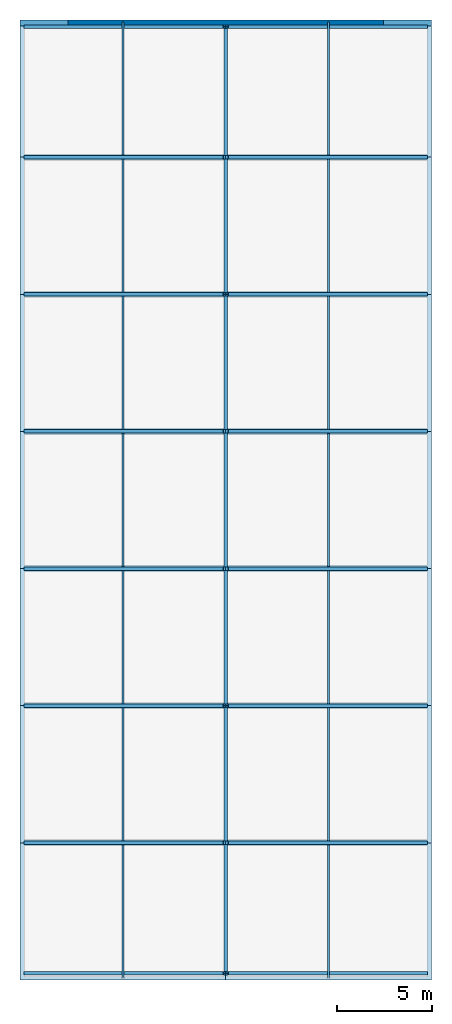
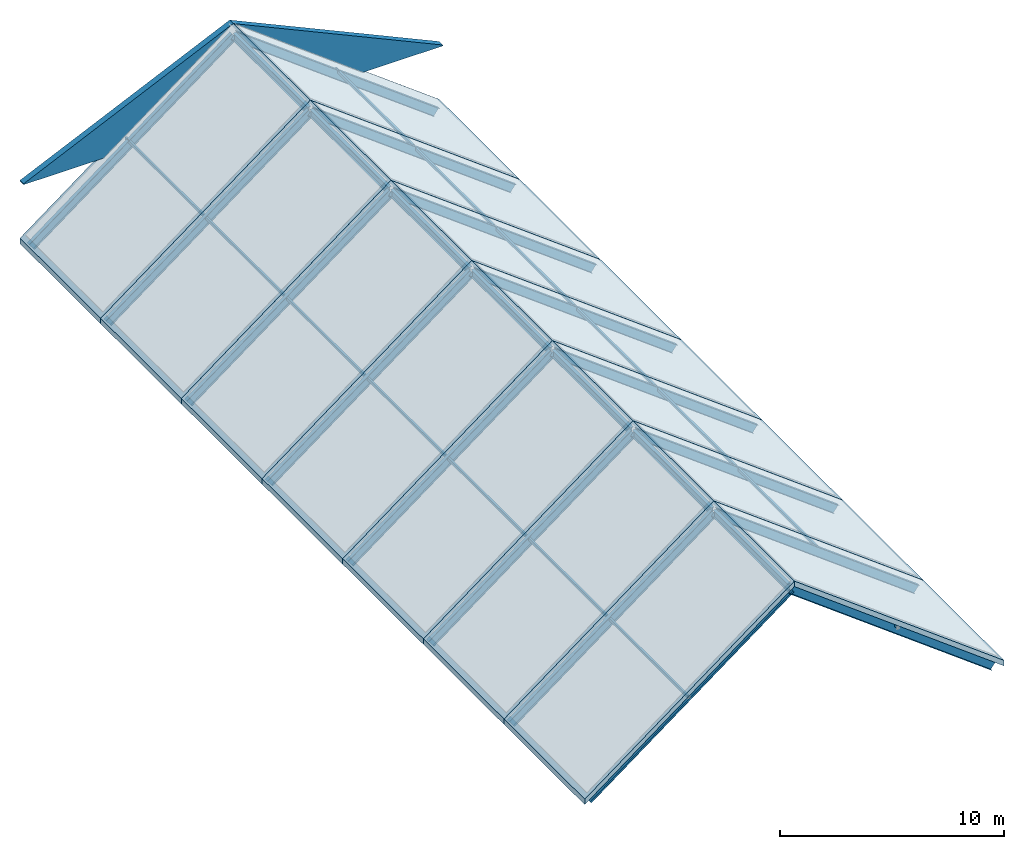
# One storey, part 1 of 3: 30 members, 14 slabs, 7 beams, 1 wall, 1 element without a shape of its own.
"""IFC4 building model written with IfcOpenShell, lengths in metres."""

import ifcopenshell
import ifcopenshell.guid

model = None  # the IFC model being written
_history = None  # IfcOwnerHistory: only IFC2X3 demands one
_inside = {}  # id of a spatial element -> (the spatial element, [elements in it])
_under = {}  # id of a project, library or spatial element -> (it, [spatial elements below it])
_declared = {}  # id of a project -> (the project, [libraries it declares])
_typed = {}  # id of a type object -> (the type object, [elements of that type])
_made_of = {}  # id of a material, layer set ... -> (it, [elements and type objects made of it])


def new_model(schema):
    """Start an empty IFC model of exactly this schema.

    Asked for "IFC4X3", IfcOpenShell would pick the latest addendum, in which some entities
    have other attributes; the version numbers below select the first issue.
    IFC2X3 requires an IfcOwnerHistory on every rooted entity: one is made here for all.
    """
    global model, _history
    if schema == "IFC4X3":
        model = ifcopenshell.file(schema_version=(4, 3, 0, 0))
    else:
        model = ifcopenshell.file(schema=schema)
    _inside.clear()
    _under.clear()
    _declared.clear()
    _typed.clear()
    _made_of.clear()
    _history = None
    if model.schema == "IFC2X3":
        org = make("IfcOrganization", Name="unknown")
        user = make(
            "IfcPersonAndOrganization",
            ThePerson=make("IfcPerson", FamilyName="unknown"),
            TheOrganization=org,
        )
        app = make(
            "IfcApplication",
            ApplicationDeveloper=org,
            Version="unknown",
            ApplicationFullName="unknown",
            ApplicationIdentifier="unknown",
        )
        _history = make(
            "IfcOwnerHistory",
            OwningUser=user,
            OwningApplication=app,
            ChangeAction="ADDED",
            CreationDate=0,
        )
    return model


def make(cls, **values):
    """One entity of the class cls with the attributes given. An attribute that is None is left unset."""
    return model.create_entity(
        cls, **{name: value for name, value in values.items() if value is not None}
    )


def rooted(cls, **values):
    """An entity with a GlobalId (a new one), such as an element, a storey or a relation."""
    return make(cls, GlobalId=ifcopenshell.guid.new(), OwnerHistory=_history, **values)


def si_unit(unit_type, name, prefix=None):
    """IfcSIUnit, for example si_unit("LENGTHUNIT", "METRE", prefix="MILLI")."""
    return make("IfcSIUnit", UnitType=unit_type, Prefix=prefix, Name=name)


def derived_unit(unit_type, elements):
    """IfcDerivedUnit: a product of units, each with its exponent."""
    return make(
        "IfcDerivedUnit",
        Elements=[
            make("IfcDerivedUnitElement", Unit=unit, Exponent=power)
            for unit, power in elements
        ],
        UnitType=unit_type,
    )


def assignment(units):
    """IfcUnitAssignment: the units of a project."""
    return None if units is None else make("IfcUnitAssignment", Units=units)


def point(xyz):
    """IfcCartesianPoint."""
    return None if xyz is None else make("IfcCartesianPoint", Coordinates=xyz)


def direction(xyz):
    """IfcDirection."""
    return None if xyz is None else make("IfcDirection", DirectionRatios=xyz)


def frame(location, z_axis=None, x_axis=None):
    """IfcAxis2Placement3D, a coordinate frame: its origin and axes. An axis left out is left unset."""
    return make(
        "IfcAxis2Placement3D",
        Location=point(location),
        Axis=direction(z_axis),
        RefDirection=direction(x_axis),
    )


def frame_2d(location, x_axis=None):
    """IfcAxis2Placement2D, a coordinate frame in the plane: its origin and x axis."""
    return make(
        "IfcAxis2Placement2D", Location=point(location), RefDirection=direction(x_axis)
    )


def origin():
    """The frame at (0, 0, 0) with its axes left unset."""
    return frame((0.0, 0.0, 0.0))


def origin_2d():
    """The frame at (0, 0) in the plane with its x axis left unset."""
    return frame_2d((0.0, 0.0))


def place(relative_to, where):
    """IfcLocalPlacement: puts the frame where relative to a parent placement (None: the world)."""
    return make(
        "IfcLocalPlacement", PlacementRelTo=relative_to, RelativePlacement=where
    )


def context(
    kind, dimensions, precision=None, world=None, true_north=None, identifier=None
):
    """IfcGeometricRepresentationContext, for example the 3D "Model" context."""
    return make(
        "IfcGeometricRepresentationContext",
        ContextIdentifier=identifier,
        ContextType=kind,
        CoordinateSpaceDimension=dimensions,
        Precision=precision,
        WorldCoordinateSystem=world,
        TrueNorth=true_north,
    )


def subcontext(parent, identifier, kind, view, scale=None):
    """IfcGeometricRepresentationSubContext, for example "Body" below "Model"."""
    return make(
        "IfcGeometricRepresentationSubContext",
        ContextIdentifier=identifier,
        ContextType=kind,
        ParentContext=parent,
        TargetScale=scale,
        TargetView=view,
    )


def project(units=None, contexts=None):
    """IfcProject with its units and contexts."""
    return rooted(
        "IfcProject",
        Name="project",
        RepresentationContexts=contexts,
        UnitsInContext=assignment(units),
    )


def spatial(cls, under=None, at=None, **own):
    """A site, building, storey or space (cls), placed at a placement, below another one or the project."""
    s = rooted(cls, ObjectPlacement=at, **own)
    if under is not None:
        _under.setdefault(under.id(), (under, []))[1].append(s)
    return s


def polyline(points):
    """IfcPolyline through the points."""
    return make("IfcPolyline", Points=[point(p) for p in points])


def profile(cls, at=None, kind="AREA", **sizes):
    """A parametric profile (cls). Its sizes go by their IFC names, for example OverallWidth=200.0."""
    return make(cls, ProfileType=kind, Position=at, **sizes)


def hollow_rectangle(**sizes):
    """IfcRectangleHollowProfileDef."""
    return profile("IfcRectangleHollowProfileDef", **sizes)


def i_section(**sizes):
    """IfcIShapeProfileDef."""
    return profile("IfcIShapeProfileDef", **sizes)


def outline(outer, holes=None, kind="AREA"):
    """IfcArbitraryClosedProfileDef: a profile drawn as a closed curve; with holes, ...WithVoids."""
    if holes is None:
        return make("IfcArbitraryClosedProfileDef", ProfileType=kind, OuterCurve=outer)
    return make(
        "IfcArbitraryProfileDefWithVoids",
        ProfileType=kind,
        OuterCurve=outer,
        InnerCurves=holes,
    )


def extrude(swept, where, along, depth):
    """IfcExtrudedAreaSolid: the profile swept, set in the frame where, extruded along a direction by depth."""
    return make(
        "IfcExtrudedAreaSolid",
        SweptArea=swept,
        Position=where,
        ExtrudedDirection=direction(along),
        Depth=depth,
    )


def shape(context_of_items, identifier, shape_type, items):
    """IfcShapeRepresentation: the items that make up one representation, for example the "Body"."""
    return make(
        "IfcShapeRepresentation",
        ContextOfItems=context_of_items,
        RepresentationIdentifier=identifier,
        RepresentationType=shape_type,
        Items=items,
    )


def material(Name=None, Category=None):
    """IfcMaterial."""
    return make("IfcMaterial", Name=Name, Category=Category)


def layer(
    of_material, thickness, ventilated=None, Name=None, Category=None, Priority=None
):
    """IfcMaterialLayer: one layer of a wall or slab, of a material (None: an air gap)."""
    return make(
        "IfcMaterialLayer",
        Material=of_material,
        LayerThickness=thickness,
        IsVentilated=ventilated,
        Name=Name,
        Category=Category,
        Priority=Priority,
    )


def layer_set(layers, Name=None):
    """IfcMaterialLayerSet."""
    return make("IfcMaterialLayerSet", MaterialLayers=layers, LayerSetName=Name)


def material_profile(
    of_material, cross_section, Name=None, Category=None, Priority=None
):
    """IfcMaterialProfile: a cross section and its material."""
    return make(
        "IfcMaterialProfile",
        Name=Name,
        Material=of_material,
        Profile=cross_section,
        Priority=Priority,
        Category=Category,
    )


def profile_set(profiles, Name=None, composite=None):
    """IfcMaterialProfileSet."""
    return make(
        "IfcMaterialProfileSet",
        Name=Name,
        MaterialProfiles=profiles,
        CompositeProfile=composite,
    )


def made_of(thing, what):
    """Note that an element or type object is made of a material, layer set ...; save() writes the relation."""
    if what is not None:
        _made_of.setdefault(what.id(), (what, []))[1].append(thing)
    return thing


def type_object(cls, material=None, **own):
    """A type object (cls), such as IfcWallType, which elements share."""
    return made_of(rooted(cls, **own), material)


def element(
    cls,
    number,
    at=None,
    inside=None,
    cuts=None,
    type_object=None,
    material=None,
    context=None,
    identifier="Body",
    shape_type=None,
    held_by="IfcProductDefinitionShape",
    body=None,
    shapes=None,
    **own,
):
    """One element of the class cls, such as IfcWall. Its Tag is "e" and its number.

    at: its placement. inside: the storey or other place that contains it. cuts: it is an
    opening in that element (IfcRelVoidsElement). A single representation is given by context,
    identifier, shape_type and body (its items); several are given by shapes. held_by: the class
    of the entity that holds the representations. save() writes the other relations.
    """
    e = rooted(cls, Tag="e%d" % number, ObjectPlacement=at, **own)
    if body is not None:
        shapes = [shape(context, identifier, shape_type, body)]
    if shapes is not None:
        e.Representation = make(held_by, Representations=shapes)
    if inside is not None:
        _inside.setdefault(inside.id(), (inside, []))[1].append(e)
    if cuts is not None:
        rooted(
            "IfcRelVoidsElement", RelatingBuildingElement=cuts, RelatedOpeningElement=e
        )
    if type_object is not None:
        _typed.setdefault(type_object.id(), (type_object, []))[1].append(e)
    return made_of(e, material)


def aggregate(whole, parts):
    """IfcRelAggregates: a whole, such as a stair, and the parts it consists of."""
    return rooted("IfcRelAggregates", RelatingObject=whole, RelatedObjects=parts)


def save(model, path):
    """Write the relations noted so far, then the file.

    IfcRelAggregates (storeys below a building ...), IfcRelContainedInSpatialStructure (elements
    in a storey), IfcRelDefinesByType, IfcRelAssociatesMaterial and IfcRelDeclares: one each for
    every whole, place, type object, material and project.
    """
    for whole, parts in _under.values():
        aggregate(whole, parts)
    for where, things in _inside.values():
        rooted(
            "IfcRelContainedInSpatialStructure",
            RelatedElements=things,
            RelatingStructure=where,
        )
    for kind, things in _typed.values():
        rooted("IfcRelDefinesByType", RelatedObjects=things, RelatingType=kind)
    for what, things in _made_of.values():
        rooted("IfcRelAssociatesMaterial", RelatedObjects=things, RelatingMaterial=what)
    for by, libraries in _declared.values():
        rooted("IfcRelDeclares", RelatingContext=by, RelatedDefinitions=libraries)
    model.write(path)


model = new_model("IFC4")

# Units and contexts
model_context = context("Model", 3, precision=1e-05, world=origin(), true_north=direction((0.0, 1.0)))
body_context = subcontext(model_context, "Body", "Model", "MODEL_VIEW")
ifc_project = project(units=[si_unit("LENGTHUNIT", "METRE"), si_unit("AREAUNIT", "SQUARE_METRE"), si_unit("VOLUMEUNIT", "CUBIC_METRE"), si_unit("PLANEANGLEUNIT", "RADIAN"), si_unit("MASSUNIT", "GRAM", prefix="KILO"), derived_unit("THERMALTRANSMITTANCEUNIT", [(si_unit("MASSUNIT", "GRAM", prefix="KILO"), 1), (si_unit("TIMEUNIT", "SECOND"), -3), (si_unit("THERMODYNAMICTEMPERATUREUNIT", "KELVIN"), -1)])], contexts=[model_context])

# Site, building, storey
site_placement = place(None, origin())
site = spatial("IfcSite", under=ifc_project, at=site_placement, CompositionType="ELEMENT")
building_placement = place(site_placement, origin())
building = spatial("IfcBuilding", under=site, at=building_placement, Name="Ochrekiln Boulevard Commons", CompositionType="ELEMENT")
storey_placement = place(building_placement, frame((0.0, 0.0, 51.675048828125)))
storey = spatial("IfcBuildingStorey", under=building, at=storey_placement, Name="RF", CompositionType="ELEMENT", Elevation=51.675048828125)

# Beams
ifc_material_1 = material(Name="Steel A992 Grade 50", Category="steel")
ifc_material_profile_1 = material_profile(ifc_material_1, i_section(OverallWidth=0.177978515625, OverallDepth=0.403076171875, WebThickness=0.007568359375, FlangeThickness=0.010986328125, at=origin_2d()), Name="W16X36")
ifc_profile_set_1 = profile_set([ifc_material_profile_1], Name="Steel A992 Grade 50")
beam_type = type_object("IfcBeamType", Name="BM-STL-W16X36", PredefinedType="BEAM", material=ifc_profile_set_1)
beam_1_placement = place(storey_placement, frame((10.800048828125, 68.840087890625, 1.984375), z_axis=(0.0, 1.0, 0.0), x_axis=(-1.0, 0.0, 0.0)))
element("IfcBeam", 1, at=beam_1_placement, inside=storey, type_object=beam_type, Name="Block A Gable Ridge Beam 1", PredefinedType="BEAM", context=body_context, shape_type="SweptSolid", body=[
    extrude(i_section(OverallWidth=0.177978515625, OverallDepth=0.403076171875, WebThickness=0.007568359375, FlangeThickness=0.010986328125, at=origin_2d()), origin(), (0.0, 0.0, 1.0), 6.669921875),
])
for number, where, z_axis, x_axis, name in (
    (2, (10.800048828125, 75.68994140625, 1.984375), (0.0, 1.0, 0.0), (-1.0, 0.0, 0.0), "Block A Gable Ridge Beam 2"),
    (3, (10.800048828125, 82.889892578125, 1.984375), (0.0, 1.0, 0.0), (-1.0, 0.0, 0.0), "Block A Gable Ridge Beam 3"),
    (4, (10.800048828125, 90.090087890625, 1.984375), (0.0, 1.0, 0.0), (-1.0, 0.0, 0.0), "Block A Gable Ridge Beam 4"),
    (5, (10.800048828125, 97.2900390625, 1.984375), (0.0, 1.0, 0.0), (-1.0, 0.0, 0.0), "Block A Gable Ridge Beam 5"),
    (6, (10.800048828125, 104.489990234375, 1.984375), (0.0, 1.0, 0.0), (-1.0, 0.0, 0.0), "Block A Gable Ridge Beam 6"),
):
    element("IfcBeam", number, at=place(storey_placement, frame(where, z_axis=z_axis, x_axis=x_axis)), inside=storey, type_object=beam_type, Name=name, PredefinedType="BEAM", context=body_context, shape_type="SweptSolid", body=[
        extrude(i_section(OverallWidth=0.177978515625, OverallDepth=0.403076171875, WebThickness=0.007568359375, FlangeThickness=0.010986328125, at=origin_2d()), origin(), (0.0, 0.0, 1.0), 7.02001953125),
    ])
beam_2_placement = place(storey_placement, frame((10.800048828125, 111.68994140625, 1.984375), z_axis=(0.0, 1.0, 0.0), x_axis=(-1.0, 0.0, 0.0)))
element("IfcBeam", 7, at=beam_2_placement, inside=storey, type_object=beam_type, Name="Block A Gable Ridge Beam 7", PredefinedType="BEAM", context=body_context, shape_type="SweptSolid", body=[
    extrude(i_section(OverallWidth=0.177978515625, OverallDepth=0.403076171875, WebThickness=0.007568359375, FlangeThickness=0.010986328125, at=origin_2d()), origin(), (0.0, 0.0, 1.0), 6.670166015625),
])

# Members
ifc_material_2 = material(Name="Steel A500 Grade C", Category="steel")
ifc_material_profile_2 = material_profile(ifc_material_2, hollow_rectangle(XDim=0.10009765625, YDim=0.14990234375, WallThickness=0.00634765625, at=origin_2d()), Name="HSS150X100X6.4")
ifc_profile_set_2 = profile_set([ifc_material_profile_2], Name="Steel A500 Grade C")
member_type_1 = type_object("IfcMemberType", Name="MEM-PUR-HSS150X100", PredefinedType="PURLIN", material=ifc_profile_set_2)
for number, where, z_axis, x_axis, name in (
    (8, (5.39990234375, 68.5, -1.873779296875), (0.0, 1.0, 0.0), (-1.0, 0.0, 0.0), "Block A Roof Purlin 1W.1"),
    (9, (16.199951171875, 68.5, -1.873779296875), (0.0, 1.0, 0.0), (-1.0, 0.0, 0.0), "Block A Roof Purlin 1E.1"),
    (10, (5.39990234375, 75.699951171875, -1.873779296875), (0.0, 1.0, 0.0), (-1.0, 0.0, 0.0), "Block A Roof Purlin 2W.1"),
    (11, (16.199951171875, 75.699951171875, -1.873779296875), (0.0, 1.0, 0.0), (-1.0, 0.0, 0.0), "Block A Roof Purlin 2E.1"),
    (12, (5.39990234375, 82.89990234375, -1.873779296875), (0.0, 1.0, 0.0), (-1.0, 0.0, 0.0), "Block A Roof Purlin 3W.1"),
    (13, (16.199951171875, 82.89990234375, -1.873779296875), (0.0, 1.0, 0.0), (-1.0, 0.0, 0.0), "Block A Roof Purlin 3E.1"),
    (14, (5.39990234375, 90.10009765625, -1.873779296875), (0.0, 1.0, 0.0), (-1.0, 0.0, 0.0), "Block A Roof Purlin 4W.1"),
    (15, (16.199951171875, 90.10009765625, -1.873779296875), (0.0, 1.0, 0.0), (-1.0, 0.0, 0.0), "Block A Roof Purlin 4E.1"),
    (16, (5.39990234375, 97.300048828125, -1.873779296875), (0.0, 1.0, 0.0), (-1.0, 0.0, 0.0), "Block A Roof Purlin 5W.1"),
    (17, (16.199951171875, 97.300048828125, -1.873779296875), (0.0, 1.0, 0.0), (-1.0, 0.0, 0.0), "Block A Roof Purlin 5E.1"),
    (18, (5.39990234375, 104.5, -1.873779296875), (0.0, 1.0, 0.0), (-1.0, 0.0, 0.0), "Block A Roof Purlin 6W.1"),
    (19, (16.199951171875, 104.5, -1.873779296875), (0.0, 1.0, 0.0), (-1.0, 0.0, 0.0), "Block A Roof Purlin 6E.1"),
    (20, (5.39990234375, 111.699951171875, -1.873779296875), (0.0, 1.0, 0.0), (-1.0, 0.0, 0.0), "Block A Roof Purlin 7W.1"),
    (21, (16.199951171875, 111.699951171875, -1.873779296875), (0.0, 1.0, 0.0), (-1.0, 0.0, 0.0), "Block A Roof Purlin 7E.1"),
):
    element("IfcMember", number, at=place(storey_placement, frame(where, z_axis=z_axis, x_axis=x_axis)), inside=storey, type_object=member_type_1, Name=name, PredefinedType="PURLIN", context=body_context, shape_type="SweptSolid", body=[
        extrude(hollow_rectangle(XDim=0.10009765625, YDim=0.14990234375, WallThickness=0.00634765625, at=origin_2d()), origin(), (0.0, 0.0, 1.0), 7.0),
    ])
ifc_material_profile_3 = material_profile(ifc_material_1, i_section(OverallWidth=0.19091796875, OverallDepth=0.45703125, WebThickness=0.009033203125, FlangeThickness=0.014404296875, at=origin_2d()), Name="W18X50")
ifc_profile_set_3 = profile_set([ifc_material_profile_3], Name="Steel A992 Grade 50")
member_type_2 = type_object("IfcMemberType", Name="MEM-RAF-W18X50", PredefinedType="RAFTER", material=ifc_profile_set_3)
for number, where, z_axis, x_axis, name in (
    (22, (0.35009765625, 68.75, -5.85302734375), (0.800002242834, 0.0, 0.599997009543), (0.0, 1.0, 0.0), "Block A Steep Gable Rafter 1W"),
    (23, (21.25, 68.75, -5.85302734375), (-0.800002242834, 0.0, 0.599997009543), (0.0, -1.0, 0.0), "Block A Steep Gable Rafter 1E"),
    (24, (0.35009765625, 75.60009765625, -5.85302734375), (0.800002242834, 0.0, 0.599997009543), (0.0, 1.0, 0.0), "Block A Steep Gable Rafter 2W"),
    (25, (21.25, 75.60009765625, -5.85302734375), (-0.800002242834, 0.0, 0.599997009543), (0.0, -1.0, 0.0), "Block A Steep Gable Rafter 2E"),
    (26, (0.35009765625, 82.800048828125, -5.85302734375), (0.800002242834, 0.0, 0.599997009543), (0.0, 1.0, 0.0), "Block A Steep Gable Rafter 3W"),
    (27, (21.25, 82.800048828125, -5.85302734375), (-0.800002242834, 0.0, 0.599997009543), (0.0, -1.0, 0.0), "Block A Steep Gable Rafter 3E"),
    (28, (0.35009765625, 90.0, -5.85302734375), (0.800002242834, 0.0, 0.599997009543), (0.0, 1.0, 0.0), "Block A Steep Gable Rafter 4W"),
    (29, (21.25, 90.0, -5.85302734375), (-0.800002242834, 0.0, 0.599997009543), (0.0, -1.0, 0.0), "Block A Steep Gable Rafter 4E"),
    (30, (0.35009765625, 97.199951171875, -5.85302734375), (0.800002242834, 0.0, 0.599997009543), (0.0, 1.0, 0.0), "Block A Steep Gable Rafter 5W"),
    (31, (21.25, 97.199951171875, -5.85302734375), (-0.800002242834, 0.0, 0.599997009543), (0.0, -1.0, 0.0), "Block A Steep Gable Rafter 5E"),
    (32, (0.35009765625, 104.39990234375, -5.85302734375), (0.800002242834, 0.0, 0.599997009543), (0.0, 1.0, 0.0), "Block A Steep Gable Rafter 6W"),
    (33, (21.25, 104.39990234375, -5.85302734375), (-0.800002242834, 0.0, 0.599997009543), (0.0, -1.0, 0.0), "Block A Steep Gable Rafter 6E"),
    (34, (0.35009765625, 111.60009765625, -5.85302734375), (0.800002242834, 0.0, 0.599997009543), (0.0, 1.0, 0.0), "Block A Steep Gable Rafter 7W"),
    (35, (21.25, 111.60009765625, -5.85302734375), (-0.800002242834, 0.0, 0.599997009543), (0.0, -1.0, 0.0), "Block A Steep Gable Rafter 7E"),
    (36, (0.35009765625, 118.449951171875, -5.85302734375), (0.800002242834, 0.0, 0.599997009543), (0.0, 1.0, 0.0), "Block A Steep Gable Rafter 8W"),
    (37, (21.25, 118.449951171875, -5.85302734375), (-0.800002242834, 0.0, 0.599997009543), (0.0, -1.0, 0.0), "Block A Steep Gable Rafter 8E"),
):
    element("IfcMember", number, at=place(storey_placement, frame(where, z_axis=z_axis, x_axis=x_axis)), inside=storey, type_object=member_type_2, Name=name, PredefinedType="RAFTER", context=body_context, shape_type="SweptSolid", body=[
        extrude(i_section(OverallWidth=0.19091796875, OverallDepth=0.45703125, WebThickness=0.009033203125, FlangeThickness=0.014404296875, at=origin_2d()), origin(), (0.0, 0.0, 1.0), 13.0625),
    ])

# Roof, slabs
ifc_material_3 = material(Name="Concrete C35/45", Category="concrete")
roof_type = type_object("IfcRoofType", Name="ROOF-GABLE", PredefinedType="GABLE_ROOF", material=ifc_material_3)
roof_placement = place(storey_placement, origin())
roof = element("IfcRoof", 38, at=roof_placement, inside=storey, type_object=roof_type, Name="Block A Two-Storey Steep Solar Gable Roof", PredefinedType="GABLE_ROOF")
ifc_layer_1 = layer(ifc_material_3, 0.239990234375)
ifc_layer_set_1 = layer_set([ifc_layer_1], Name="Concrete C35/45")
slab_type = type_object("IfcSlabType", Name="SLB-GABLE-240", PredefinedType="ROOF", material=ifc_layer_set_1)
slab_1_placement = place(storey_placement, frame((0.0, 75.60009765625, -5.5), z_axis=(0.0, -1.0, 0.0), x_axis=(1.0, 0.0, 0.0)))
slab_1 = element("IfcSlab", 39, at=slab_1_placement, type_object=slab_type, Name="Block A Solar Gable Roof Slab 1W", PredefinedType="ROOF", context=body_context, shape_type="SweptSolid", body=[
    extrude(outline(polyline([(0.0, 0.0), (10.800048828125, 8.10009765625), (10.800048828125, 7.800048828125), (0.0, -0.300048828125), (0.0, 0.0)])), origin(), (0.0, 0.0, 1.0), 7.199951171875),
])
slab_2_placement = place(storey_placement, frame((21.60009765625, 68.39990234375, -5.5), z_axis=(0.0, 1.0, 0.0), x_axis=(-1.0, 0.0, 0.0)))
slab_2 = element("IfcSlab", 40, at=slab_2_placement, type_object=slab_type, Name="Block A Solar Gable Roof Slab 1E", PredefinedType="ROOF", context=body_context, shape_type="SweptSolid", body=[
    extrude(outline(polyline([(0.0, 0.0), (10.800048828125, 8.10009765625), (10.800048828125, 7.800048828125), (0.0, -0.300048828125), (0.0, 0.0)])), origin(), (0.0, 0.0, 1.0), 7.199951171875),
])
slab_3_placement = place(storey_placement, frame((0.0, 82.800048828125, -5.5), z_axis=(0.0, -1.0, 0.0), x_axis=(1.0, 0.0, 0.0)))
slab_3 = element("IfcSlab", 41, at=slab_3_placement, type_object=slab_type, Name="Block A Solar Gable Roof Slab 2W", PredefinedType="ROOF", context=body_context, shape_type="SweptSolid", body=[
    extrude(outline(polyline([(0.0, 0.0), (10.800048828125, 8.10009765625), (10.800048828125, 7.800048828125), (0.0, -0.300048828125), (0.0, 0.0)])), origin(), (0.0, 0.0, 1.0), 7.199951171875),
])
slab_4_placement = place(storey_placement, frame((21.60009765625, 75.60009765625, -5.5), z_axis=(0.0, 1.0, 0.0), x_axis=(-1.0, 0.0, 0.0)))
slab_4 = element("IfcSlab", 42, at=slab_4_placement, type_object=slab_type, Name="Block A Solar Gable Roof Slab 2E", PredefinedType="ROOF", context=body_context, shape_type="SweptSolid", body=[
    extrude(outline(polyline([(0.0, 0.0), (10.800048828125, 8.10009765625), (10.800048828125, 7.800048828125), (0.0, -0.300048828125), (0.0, 0.0)])), origin(), (0.0, 0.0, 1.0), 7.199951171875),
])
slab_5_placement = place(storey_placement, frame((0.0, 90.0, -5.5), z_axis=(0.0, -1.0, 0.0), x_axis=(1.0, 0.0, 0.0)))
slab_5 = element("IfcSlab", 43, at=slab_5_placement, type_object=slab_type, Name="Block A Solar Gable Roof Slab 3W", PredefinedType="ROOF", context=body_context, shape_type="SweptSolid", body=[
    extrude(outline(polyline([(0.0, 0.0), (10.800048828125, 8.10009765625), (10.800048828125, 7.800048828125), (0.0, -0.300048828125), (0.0, 0.0)])), origin(), (0.0, 0.0, 1.0), 7.199951171875),
])
slab_6_placement = place(storey_placement, frame((21.60009765625, 82.800048828125, -5.5), z_axis=(0.0, 1.0, 0.0), x_axis=(-1.0, 0.0, 0.0)))
slab_6 = element("IfcSlab", 44, at=slab_6_placement, type_object=slab_type, Name="Block A Solar Gable Roof Slab 3E", PredefinedType="ROOF", context=body_context, shape_type="SweptSolid", body=[
    extrude(outline(polyline([(0.0, 0.0), (10.800048828125, 8.10009765625), (10.800048828125, 7.800048828125), (0.0, -0.300048828125), (0.0, 0.0)])), origin(), (0.0, 0.0, 1.0), 7.199951171875),
])
slab_7_placement = place(storey_placement, frame((0.0, 97.199951171875, -5.5), z_axis=(0.0, -1.0, 0.0), x_axis=(1.0, 0.0, 0.0)))
slab_7 = element("IfcSlab", 45, at=slab_7_placement, type_object=slab_type, Name="Block A Solar Gable Roof Slab 4W", PredefinedType="ROOF", context=body_context, shape_type="SweptSolid", body=[
    extrude(outline(polyline([(0.0, 0.0), (10.800048828125, 8.10009765625), (10.800048828125, 7.800048828125), (0.0, -0.300048828125), (0.0, 0.0)])), origin(), (0.0, 0.0, 1.0), 7.199951171875),
])
slab_8_placement = place(storey_placement, frame((21.60009765625, 90.0, -5.5), z_axis=(0.0, 1.0, 0.0), x_axis=(-1.0, 0.0, 0.0)))
slab_8 = element("IfcSlab", 46, at=slab_8_placement, type_object=slab_type, Name="Block A Solar Gable Roof Slab 4E", PredefinedType="ROOF", context=body_context, shape_type="SweptSolid", body=[
    extrude(outline(polyline([(0.0, 0.0), (10.800048828125, 8.10009765625), (10.800048828125, 7.800048828125), (0.0, -0.300048828125), (0.0, 0.0)])), origin(), (0.0, 0.0, 1.0), 7.199951171875),
])
slab_9_placement = place(storey_placement, frame((0.0, 104.39990234375, -5.5), z_axis=(0.0, -1.0, 0.0), x_axis=(1.0, 0.0, 0.0)))
slab_9 = element("IfcSlab", 47, at=slab_9_placement, type_object=slab_type, Name="Block A Solar Gable Roof Slab 5W", PredefinedType="ROOF", context=body_context, shape_type="SweptSolid", body=[
    extrude(outline(polyline([(0.0, 0.0), (10.800048828125, 8.10009765625), (10.800048828125, 7.800048828125), (0.0, -0.300048828125), (0.0, 0.0)])), origin(), (0.0, 0.0, 1.0), 7.199951171875),
])
slab_10_placement = place(storey_placement, frame((21.60009765625, 97.199951171875, -5.5), z_axis=(0.0, 1.0, 0.0), x_axis=(-1.0, 0.0, 0.0)))
slab_10 = element("IfcSlab", 48, at=slab_10_placement, type_object=slab_type, Name="Block A Solar Gable Roof Slab 5E", PredefinedType="ROOF", context=body_context, shape_type="SweptSolid", body=[
    extrude(outline(polyline([(0.0, 0.0), (10.800048828125, 8.10009765625), (10.800048828125, 7.800048828125), (0.0, -0.300048828125), (0.0, 0.0)])), origin(), (0.0, 0.0, 1.0), 7.199951171875),
])
slab_11_placement = place(storey_placement, frame((0.0, 111.60009765625, -5.5), z_axis=(0.0, -1.0, 0.0), x_axis=(1.0, 0.0, 0.0)))
slab_11 = element("IfcSlab", 49, at=slab_11_placement, type_object=slab_type, Name="Block A Solar Gable Roof Slab 6W", PredefinedType="ROOF", context=body_context, shape_type="SweptSolid", body=[
    extrude(outline(polyline([(0.0, 0.0), (10.800048828125, 8.10009765625), (10.800048828125, 7.800048828125), (0.0, -0.300048828125), (0.0, 0.0)])), origin(), (0.0, 0.0, 1.0), 7.199951171875),
])
slab_12_placement = place(storey_placement, frame((21.60009765625, 104.39990234375, -5.5), z_axis=(0.0, 1.0, 0.0), x_axis=(-1.0, 0.0, 0.0)))
slab_12 = element("IfcSlab", 50, at=slab_12_placement, type_object=slab_type, Name="Block A Solar Gable Roof Slab 6E", PredefinedType="ROOF", context=body_context, shape_type="SweptSolid", body=[
    extrude(outline(polyline([(0.0, 0.0), (10.800048828125, 8.10009765625), (10.800048828125, 7.800048828125), (0.0, -0.300048828125), (0.0, 0.0)])), origin(), (0.0, 0.0, 1.0), 7.199951171875),
])
slab_13_placement = place(storey_placement, frame((0.0, 118.800048828125, -5.5), z_axis=(0.0, -1.0, 0.0), x_axis=(1.0, 0.0, 0.0)))
slab_13 = element("IfcSlab", 51, at=slab_13_placement, type_object=slab_type, Name="Block A Solar Gable Roof Slab 7W", PredefinedType="ROOF", context=body_context, shape_type="SweptSolid", body=[
    extrude(outline(polyline([(0.0, 0.0), (10.800048828125, 8.10009765625), (10.800048828125, 7.800048828125), (0.0, -0.300048828125), (0.0, 0.0)])), origin(), (0.0, 0.0, 1.0), 7.199951171875),
])
slab_14_placement = place(storey_placement, frame((21.60009765625, 111.60009765625, -5.5), z_axis=(0.0, 1.0, 0.0), x_axis=(-1.0, 0.0, 0.0)))
slab_14 = element("IfcSlab", 52, at=slab_14_placement, type_object=slab_type, Name="Block A Solar Gable Roof Slab 7E", PredefinedType="ROOF", context=body_context, shape_type="SweptSolid", body=[
    extrude(outline(polyline([(0.0, 0.0), (10.800048828125, 8.10009765625), (10.800048828125, 7.800048828125), (0.0, -0.300048828125), (0.0, 0.0)])), origin(), (0.0, 0.0, 1.0), 7.199951171875),
])
aggregate(roof, [slab_1, slab_2, slab_3, slab_4, slab_5, slab_6, slab_7, slab_8, slab_9, slab_10, slab_11, slab_12, slab_13, slab_14])

# Wall
ifc_material_4 = material(Name="Desert ochre clinker brick masonry ASTM C216 Grade SW", Category="masonry")
ifc_layer_2 = layer(ifc_material_4, 0.320068359375)
ifc_layer_set_2 = layer_set([ifc_layer_2], Name="Desert ochre clinker brick masonry ASTM C216 Grade SW")
wall_type = type_object("IfcWallType", Name="WL-EXT-OCHRE-320", PredefinedType="SOLIDWALL", material=ifc_layer_set_2)
wall_placement = place(storey_placement, frame((0.0, 118.639892578125, -2.400146484375), z_axis=(0.0, 0.0, 1.0), x_axis=(1.0, 0.0, 0.0)))
element("IfcWall", 53, at=wall_placement, inside=storey, type_object=wall_type, Name="Block A Street Gable Peak Masonry Wall", PredefinedType="SOLIDWALL", context=body_context, shape_type="SweptSolid", body=[
    extrude(outline(polyline([(0.0, 0.0), (21.60009765625, 0.0), (21.60009765625, 0.050048828125), (10.800048828125, 5.0), (0.0, 0.050048828125), (0.0, 0.0)])), frame((0.0, 0.16015625, 0.0), z_axis=(0.0, -1.0, 0.0), x_axis=(1.0, 0.0, 0.0)), (0.0, 0.0, 1.0), 0.320068359375),
])

save(model, "model.ifc")
